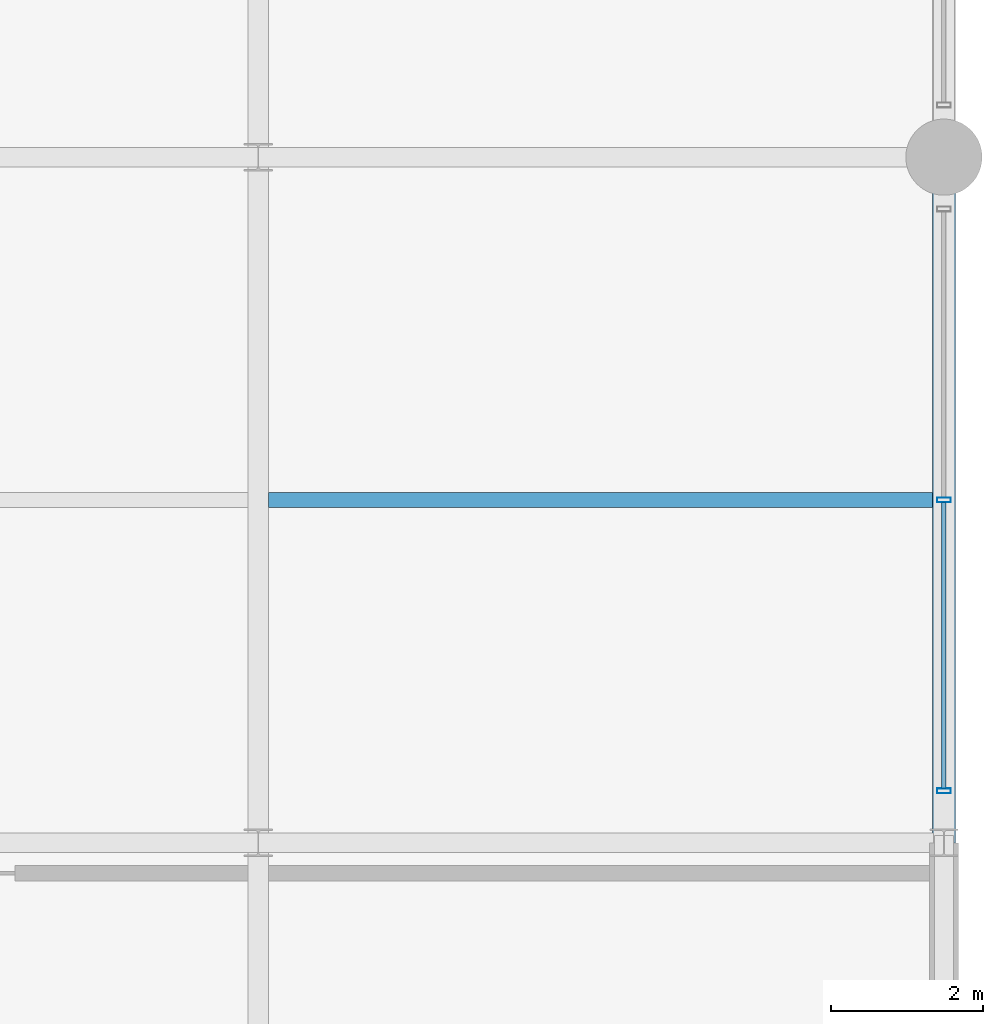
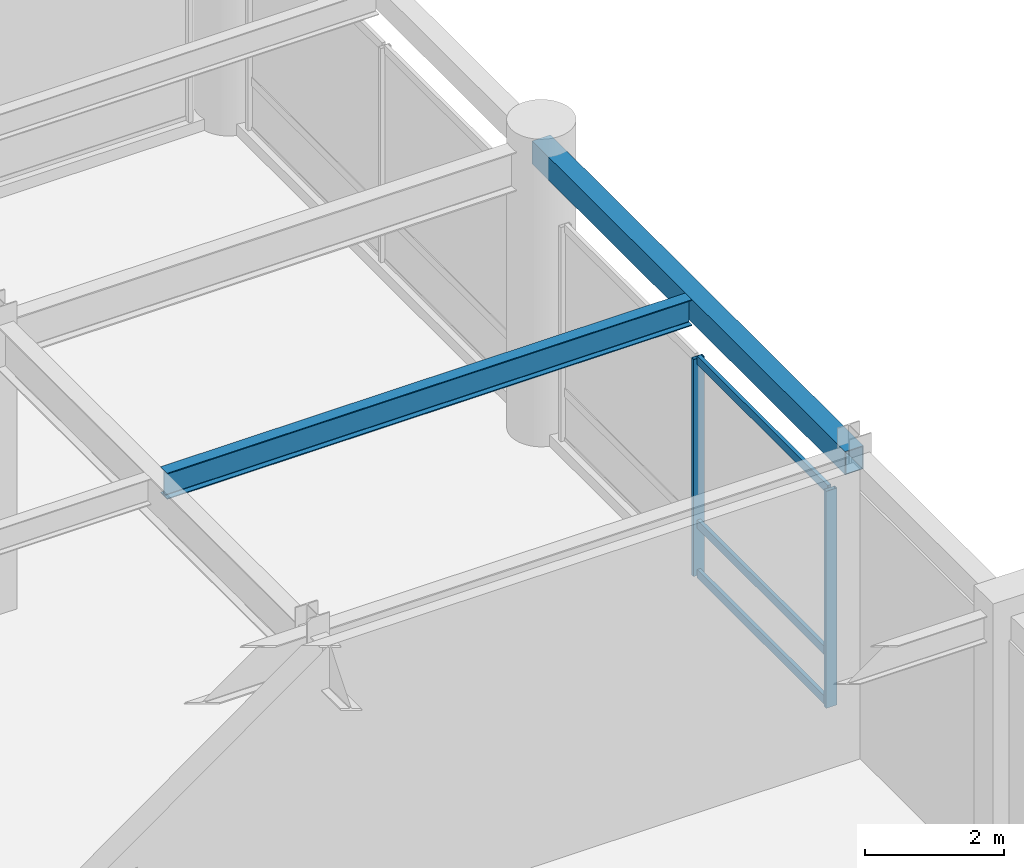
# One storey, part 47 of 100: 5 members, 2 beams, 1 element without a shape of its own.
"""IFC4 building model written with IfcOpenShell, lengths in metres."""

from ifc_helpers import new_model, si_unit, direction, frame, origin, origin_2d, place, context, subcontext, project, spatial, hollow_rectangle, i_section, extrude, material, material_profile, profile_set, type_object, element, aggregate, save


model = new_model("IFC4")

# Units and contexts
model_context = context("Model", 3, precision=1e-05, world=origin(), true_north=direction((0.0, 1.0)))
body_context = subcontext(model_context, "Body", "Model", "MODEL_VIEW")
ifc_project = project(units=[si_unit("LENGTHUNIT", "METRE"), si_unit("AREAUNIT", "SQUARE_METRE"), si_unit("VOLUMEUNIT", "CUBIC_METRE"), si_unit("PLANEANGLEUNIT", "RADIAN"), si_unit("MASSUNIT", "GRAM", prefix="KILO")], contexts=[model_context])

# Site, building, storey
site_placement = place(None, origin())
site = spatial("IfcSite", under=ifc_project, at=site_placement, CompositionType="ELEMENT")
building_placement = place(site_placement, origin())
building = spatial("IfcBuilding", under=site, at=building_placement, Name="Kaldorvane Square Convention Centre", CompositionType="ELEMENT")
storey_placement = place(building_placement, frame((0.0, 0.0, 18.0)))
storey = spatial("IfcBuildingStorey", under=building, at=storey_placement, Name="L03", CompositionType="ELEMENT", Elevation=18.0)

# Beams
ifc_material_1 = material(Name="Steel ASTM A992 Gr. 50", Category="steel")
ifc_material_profile_1 = material_profile(ifc_material_1, i_section(OverallWidth=0.1912994384765625, OverallDepth=0.4600067138671875, WebThickness=0.0099029541015625, FlangeThickness=0.0160064697265625, FilletRadius=0.01019287109375, at=origin_2d()), Name="W18X55")
ifc_profile_set_1 = profile_set([ifc_material_profile_1], Name="Steel ASTM A992 Gr. 50")
beam_type_1 = type_object("IfcBeamType", Name="BM-JS-W18X55", PredefinedType="JOIST", material=ifc_profile_set_1)
beam_1_placement = place(storey_placement, frame((165.13330078125, 22.5, 4.8459930419921875), z_axis=(1.0, 0.0, 0.0), x_axis=(0.0, 1.0, 0.0)))
element("IfcBeam", 1, at=beam_1_placement, inside=storey, type_object=beam_type_1, Name="Secondary Floor Joist (L03)", PredefinedType="JOIST", context=body_context, shape_type="SweptSolid", body=[
    extrude(i_section(OverallWidth=0.1912994384765625, OverallDepth=0.4600067138671875, WebThickness=0.0099029541015625, FlangeThickness=0.0160064697265625, FilletRadius=0.01019287109375, at=origin_2d()), origin(), (0.0, 0.0, 1.0), 8.71429443359375),
])
ifc_material_2 = material(Name="Steel ASTM A500 Gr. C", Category="steel")
ifc_material_profile_2 = material_profile(ifc_material_2, hollow_rectangle(XDim=0.3047943115234375, YDim=0.406402587890625, WallThickness=0.0117950439453125, at=origin_2d()), Name="HSS16X12X1/2")
ifc_profile_set_2 = profile_set([ifc_material_profile_2], Name="Steel ASTM A500 Gr. C")
beam_type_2 = type_object("IfcBeamType", Name="BM-SP-HSS16", PredefinedType="SPANDREL", material=ifc_profile_set_2)
beam_2_placement = place(storey_placement, frame((174.0, 18.0, 4.872802734375), z_axis=(0.0, 1.0, 0.0), x_axis=(-1.0, 0.0, 0.0)))
element("IfcBeam", 2, at=beam_2_placement, inside=storey, type_object=beam_type_2, Name="End Spandrel (L03)", PredefinedType="SPANDREL", context=body_context, shape_type="SweptSolid", body=[
    extrude(hollow_rectangle(XDim=0.3047943115234375, YDim=0.406402587890625, WallThickness=0.0117950439453125, at=origin_2d()), origin(), (0.0, 0.0, 1.0), 9.0),
])

# Curtain wall, members
ifc_material_3 = material(Name="Anodized Aluminum and Low-E Insulated Glazing", Category="aluminium")
curtain_wall_type = type_object("IfcCurtainWallType", Name="CW-UNI-P54-09", PredefinedType="USERDEFINED", material=ifc_material_3)
curtain_wall_placement = place(storey_placement, origin())
curtain_wall = element("IfcCurtainWall", 3, at=curtain_wall_placement, inside=storey, type_object=curtain_wall_type, Name="Curtain Wall CW-04 (L03)", ObjectType="UNITISED GLAZING", PredefinedType="USERDEFINED")
ifc_material_profile_3 = material_profile(ifc_material_3, hollow_rectangle(XDim=0.06500244140625, YDim=0.17999267578125, WallThickness=0.0034942626953125, at=origin_2d()), Name="CWM-180X65")
ifc_profile_set_3 = profile_set([ifc_material_profile_3], Name="Anodized Aluminum and Low-E Insulated Glazing")
member_type_1 = type_object("IfcMemberType", Name="CW-MUL-180", PredefinedType="MULLION", material=ifc_profile_set_3)
member_1_placement = place(storey_placement, frame((174.0, 18.6824951171875, 0.149993896484375), z_axis=(0.0, 0.0, 1.0), x_axis=(0.0, 1.0, 0.0)))
member_1 = element("IfcMember", 4, at=member_1_placement, type_object=member_type_1, Name="CW-04 mullion 1", PredefinedType="MULLION", context=body_context, shape_type="SweptSolid", body=[
    extrude(hollow_rectangle(XDim=0.06500244140625, YDim=0.17999267578125, WallThickness=0.0034942626953125, at=origin_2d()), origin(), (0.0, 0.0, 1.0), 3.8100128173828125),
])
member_2_placement = place(storey_placement, frame((174.0, 22.5, 0.149993896484375), z_axis=(0.0, 0.0, 1.0), x_axis=(0.0, 1.0, 0.0)))
member_2 = element("IfcMember", 5, at=member_2_placement, type_object=member_type_1, Name="CW-04 mullion 2", PredefinedType="MULLION", context=body_context, shape_type="SweptSolid", body=[
    extrude(hollow_rectangle(XDim=0.06500244140625, YDim=0.17999267578125, WallThickness=0.0034942626953125, at=origin_2d()), origin(), (0.0, 0.0, 1.0), 3.8100128173828125),
])
ifc_material_profile_4 = material_profile(ifc_material_3, hollow_rectangle(XDim=0.05999755859375, YDim=0.149993896484375, WallThickness=0.003204345703125, at=origin_2d()), Name="CWT-150X60")
ifc_profile_set_4 = profile_set([ifc_material_profile_4], Name="Anodized Aluminum and Low-E Insulated Glazing")
member_type_2 = type_object("IfcMemberType", Name="CW-TRN-150", PredefinedType="USERDEFINED", material=ifc_profile_set_4)
member_3_placement = place(storey_placement, frame((174.0, 18.714996337890625, 0.17999267578125), z_axis=(0.0, 1.0, 0.0), x_axis=(-1.0, 0.0, 0.0)))
member_3 = element("IfcMember", 6, at=member_3_placement, type_object=member_type_2, Name="CW-04 transom 1.1", ObjectType="TRANSOM", PredefinedType="USERDEFINED", context=body_context, shape_type="SweptSolid", body=[
    extrude(hollow_rectangle(XDim=0.05999755859375, YDim=0.149993896484375, WallThickness=0.003204345703125, at=origin_2d()), origin(), (0.0, 0.0, 1.0), 3.75250244140625),
])
member_4_placement = place(storey_placement, frame((174.0, 18.714996337890625, 1.0500030517578125), z_axis=(0.0, 1.0, 0.0), x_axis=(-1.0, 0.0, 0.0)))
member_4 = element("IfcMember", 7, at=member_4_placement, type_object=member_type_2, Name="CW-04 transom 1.2", ObjectType="TRANSOM", PredefinedType="USERDEFINED", context=body_context, shape_type="SweptSolid", body=[
    extrude(hollow_rectangle(XDim=0.05999755859375, YDim=0.149993896484375, WallThickness=0.003204345703125, at=origin_2d()), origin(), (0.0, 0.0, 1.0), 3.75250244140625),
])
member_5_placement = place(storey_placement, frame((174.0, 18.714996337890625, 3.92999267578125), z_axis=(0.0, 1.0, 0.0), x_axis=(-1.0, 0.0, 0.0)))
member_5 = element("IfcMember", 8, at=member_5_placement, type_object=member_type_2, Name="CW-04 transom 1.3", ObjectType="TRANSOM", PredefinedType="USERDEFINED", context=body_context, shape_type="SweptSolid", body=[
    extrude(hollow_rectangle(XDim=0.05999755859375, YDim=0.149993896484375, WallThickness=0.003204345703125, at=origin_2d()), origin(), (0.0, 0.0, 1.0), 3.75250244140625),
])
aggregate(curtain_wall, [member_1, member_2, member_3, member_4, member_5])

save(model, "model.ifc")
